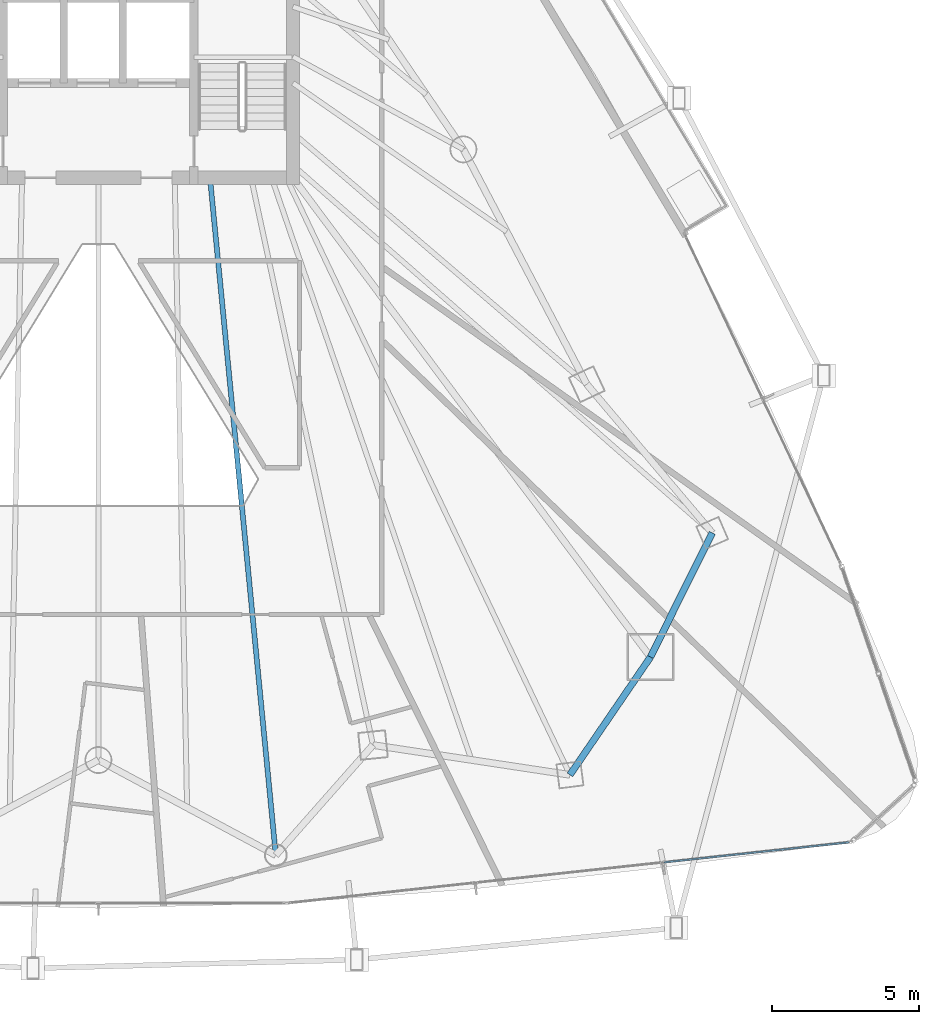
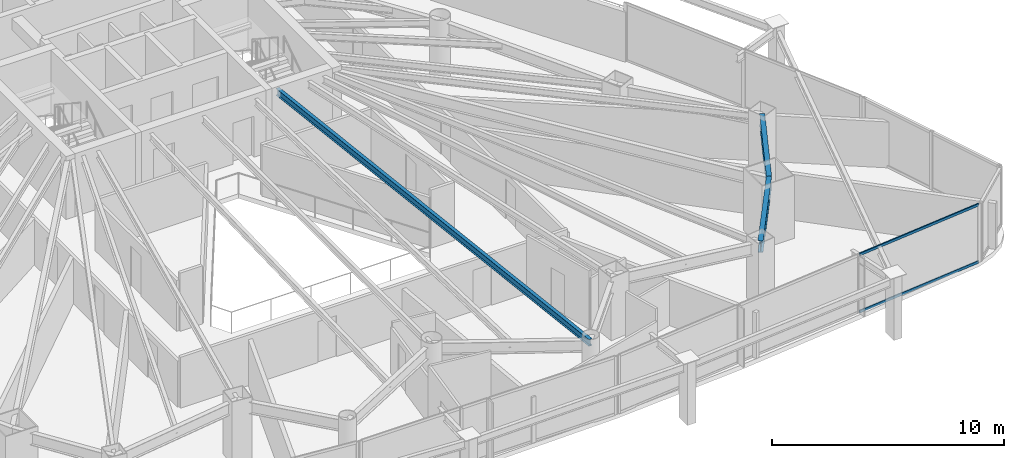
# One storey, part 13 of 33: 3 beams, 2 members, 1 element without a shape of its own.
"""IFC4 building model written with IfcOpenShell, lengths in metres."""

from ifc_helpers import new_model, si_unit, direction, frame, origin, origin_2d, place, context, subcontext, project, spatial, hollow_rectangle, i_section, extrude, material, layer, layer_set, material_profile, profile_set, type_object, element, aggregate, save


model = new_model("IFC4")

# Units and contexts
model_context = context("Model", 3, precision=1e-05, world=origin(), true_north=direction((0.0, 1.0)))
body_context = subcontext(model_context, "Body", "Model", "MODEL_VIEW")
ifc_project = project(units=[si_unit("LENGTHUNIT", "METRE"), si_unit("AREAUNIT", "SQUARE_METRE"), si_unit("VOLUMEUNIT", "CUBIC_METRE"), si_unit("PLANEANGLEUNIT", "RADIAN"), si_unit("MASSUNIT", "GRAM", prefix="KILO")], contexts=[model_context])

# Site, building, storey
site_placement = place(None, origin())
site = spatial("IfcSite", under=ifc_project, at=site_placement, CompositionType="ELEMENT")
building_placement = place(site_placement, origin())
building = spatial("IfcBuilding", under=site, at=building_placement, Name="Orvanel Arch Residences", CompositionType="ELEMENT")
storey_placement = place(building_placement, frame((0.0, 0.0, 70.85009765625)))
storey = spatial("IfcBuildingStorey", under=building, at=storey_placement, Name="L19", CompositionType="ELEMENT", Elevation=70.85009765625)

# Beams
ifc_material_1 = material(Name="Structural steel AS/NZS 3679.1 Grade 300 (300 MPa)", Category="steel")
ifc_material_profile_1 = material_profile(ifc_material_1, i_section(OverallWidth=0.1708984375, OverallDepth=0.35595703125, WebThickness=0.00732421875, FlangeThickness=0.011474609375, at=origin_2d()), Name="360UB50.7")
ifc_profile_set_1 = profile_set([ifc_material_profile_1], Name="Structural steel AS/NZS 3679.1 Grade 300 (300 MPa)")
beam_type_1 = type_object("IfcBeamType", Name="BJ-360UB", PredefinedType="JOIST", material=ifc_profile_set_1)
beam_1_placement = place(storey_placement, frame((36.800048828125, 26.675048828125, 2.8818359375), z_axis=(0.096724091756, -0.995311232768, 0.0), x_axis=(0.995311232768, 0.096724091756, 0.0)))
element("IfcBeam", 1, at=beam_1_placement, inside=storey, type_object=beam_type_1, Name="L19 LSE Wing Floor Joist", PredefinedType="JOIST", context=body_context, shape_type="SweptSolid", body=[
    extrude(i_section(OverallWidth=0.1708984375, OverallDepth=0.35595703125, WebThickness=0.00732421875, FlangeThickness=0.011474609375, at=origin_2d()), origin(), (0.0, 0.0, 1.0), 23.1787109375),
])
ifc_material_profile_2 = material_profile(ifc_material_1, i_section(OverallWidth=0.22900390625, OverallDepth=0.612060546875, WebThickness=0.011962890625, FlangeThickness=0.01953125, at=origin_2d()), Name="610UB125")
ifc_profile_set_2 = profile_set([ifc_material_profile_2], Name="Structural steel AS/NZS 3679.1 Grade 300 (300 MPa)")
beam_type_2 = type_object("IfcBeamType", Name="SP-610UB", PredefinedType="SPANDREL", material=ifc_profile_set_2)
beam_2_placement = place(storey_placement, frame((49.05908203125, 6.339111328125, 2.75390625), z_axis=(0.564251579852, 0.825602903722, 0.0), x_axis=(-0.825602903722, 0.564251579852, 0.0)))
element("IfcBeam", 2, at=beam_2_placement, inside=storey, type_object=beam_type_2, Name="L19 Perimeter Spandrel Beam 10", PredefinedType="SPANDREL", context=body_context, shape_type="SweptSolid", body=[
    extrude(i_section(OverallWidth=0.22900390625, OverallDepth=0.612060546875, WebThickness=0.011962890625, FlangeThickness=0.01953125, at=origin_2d()), origin(), (0.0, 0.0, 1.0), 4.859375),
])
beam_3_placement = place(storey_placement, frame((51.801025390625, 10.35107421875, 2.75390625), z_axis=(0.44543469453, 0.895314432425, 0.0), x_axis=(-0.895314432425, 0.44543469453, 0.0)))
element("IfcBeam", 3, at=beam_3_placement, inside=storey, type_object=beam_type_2, Name="L19 Perimeter Spandrel Beam 11", PredefinedType="SPANDREL", context=body_context, shape_type="SweptSolid", body=[
    extrude(i_section(OverallWidth=0.22900390625, OverallDepth=0.612060546875, WebThickness=0.011962890625, FlangeThickness=0.01953125, at=origin_2d()), origin(), (0.0, 0.0, 1.0), 4.723388671875),
])

# Curtain wall, members
ifc_material_2 = material(Name="Bronze-anodised aluminium AA6063-T6", Category="aluminium")
ifc_layer = layer(ifc_material_2, 0.179931640625)
ifc_layer_set = layer_set([ifc_layer], Name="Bronze-anodised aluminium AA6063-T6")
curtain_wall_type = type_object("IfcCurtainWallType", Name="CW2-LOW-SYS", PredefinedType="NOTDEFINED", material=ifc_layer_set)
curtain_wall_placement = place(storey_placement, origin())
curtain_wall = element("IfcCurtainWall", 4, at=curtain_wall_placement, inside=storey, type_object=curtain_wall_type, Name="L19 CW2-LOW-SYS Unitised Curtain Wall", PredefinedType="NOTDEFINED")
ifc_material_profile_3 = material_profile(ifc_material_2, hollow_rectangle(XDim=0.06005859375, YDim=0.135009765625, WallThickness=0.00390625, at=origin_2d()), Name="ALU135x60x4")
ifc_profile_set_3 = profile_set([ifc_material_profile_3], Name="Bronze-anodised aluminium AA6063-T6")
member_type = type_object("IfcMemberType", Name="TRN-135x60", PredefinedType="USERDEFINED", material=ifc_profile_set_3)
member_1_placement = place(storey_placement, frame((52.26708984375, 3.35986328125, 0.02978515625), z_axis=(0.994172701323, 0.10779907209, 0.0), x_axis=(-0.10779907209, 0.994172701323, 0.0)))
member_1 = element("IfcMember", 5, at=member_1_placement, type_object=member_type, Name="CW-S2 transom 3.1", ObjectType="TRANSOM", PredefinedType="USERDEFINED", context=body_context, shape_type="SweptSolid", body=[
    extrude(hollow_rectangle(XDim=0.06005859375, YDim=0.135009765625, WallThickness=0.00390625, at=origin_2d()), origin(), (0.0, 0.0, 1.0), 6.332275390625),
])
member_2_placement = place(storey_placement, frame((52.26708984375, 3.35986328125, 3.02978515625), z_axis=(0.994172701323, 0.10779907209, 0.0), x_axis=(-0.10779907209, 0.994172701323, 0.0)))
member_2 = element("IfcMember", 6, at=member_2_placement, type_object=member_type, Name="CW-S2 transom 3.2", ObjectType="TRANSOM", PredefinedType="USERDEFINED", context=body_context, shape_type="SweptSolid", body=[
    extrude(hollow_rectangle(XDim=0.06005859375, YDim=0.135009765625, WallThickness=0.00390625, at=origin_2d()), origin(), (0.0, 0.0, 1.0), 6.332275390625),
])
aggregate(curtain_wall, [member_1, member_2])

save(model, "model.ifc")
